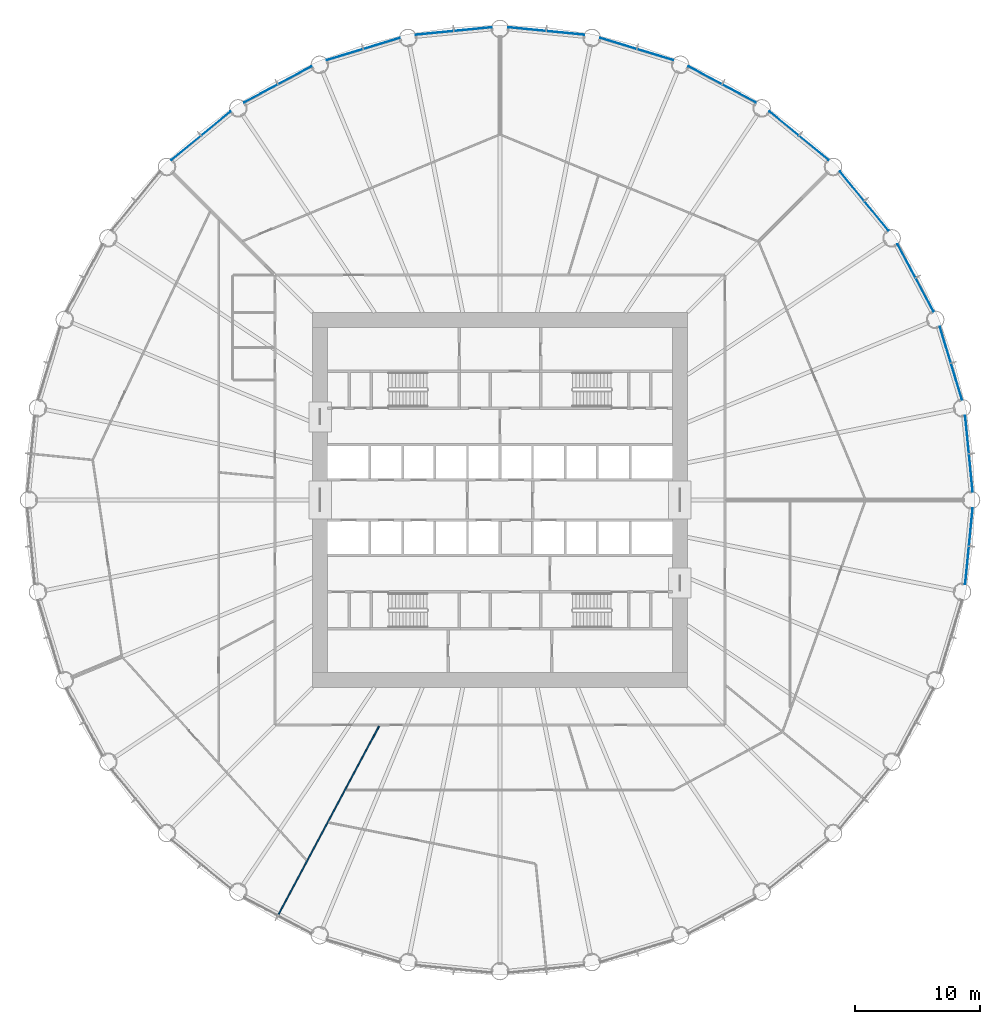
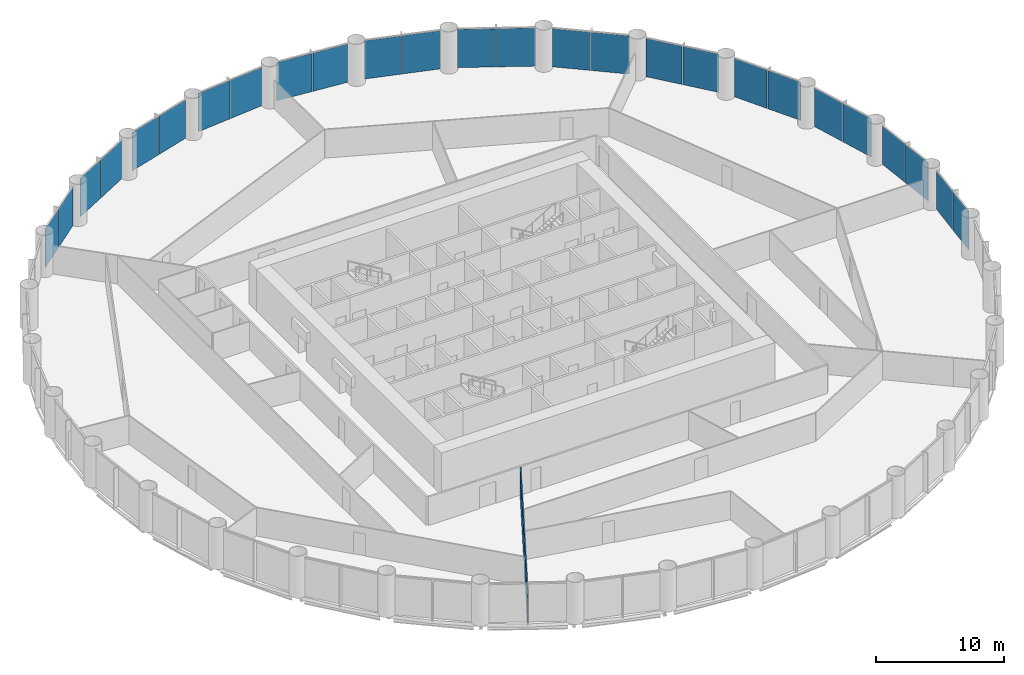
# One storey, part 9 of 15: 26 plates, 1 wall, 13 elements without a shape of their own.
"""IFC4 building model written with IfcOpenShell, lengths in metres."""

from ifc_helpers import new_model, si_unit, direction, frame, frame_2d, origin, origin_2d, place, context, subcontext, project, spatial, rectangle, extrude, material, layer, layer_set, type_object, element, aggregate, save


model = new_model("IFC4")

# Units and contexts
model_context = context("Model", 3, precision=1e-05, world=origin(), true_north=direction((0.0, 1.0)))
body_context = subcontext(model_context, "Body", "Model", "MODEL_VIEW")
ifc_project = project(units=[si_unit("LENGTHUNIT", "METRE"), si_unit("AREAUNIT", "SQUARE_METRE"), si_unit("VOLUMEUNIT", "CUBIC_METRE"), si_unit("PLANEANGLEUNIT", "RADIAN"), si_unit("MASSUNIT", "GRAM", prefix="KILO")], contexts=[model_context])

# Site, building, storey
site_placement = place(None, origin())
site = spatial("IfcSite", under=ifc_project, at=site_placement, CompositionType="ELEMENT")
building_placement = place(site_placement, origin())
building = spatial("IfcBuilding", under=site, at=building_placement, Name="Corvane Civic Tower", CompositionType="ELEMENT")
storey_placement = place(building_placement, frame((0.0, 0.0, 57.0)))
storey = spatial("IfcBuildingStorey", under=building, at=storey_placement, Name="L12", CompositionType="ELEMENT", Elevation=57.0)

# Curtain wall, plates
ifc_material_1 = material(Name="Anodised aluminium bronze", Category="aluminium")
curtain_wall_type = type_object("IfcCurtainWallType", Name="TOWER CW-T1 STICK CURTAIN WALL", PredefinedType="NOTDEFINED", material=ifc_material_1)
curtain_wall_1_placement = place(storey_placement, origin())
curtain_wall_1 = element("IfcCurtainWall", 1, at=curtain_wall_1_placement, inside=storey, type_object=curtain_wall_type, Name="Curtain wall CW-T1 L12 bay 01", PredefinedType="NOTDEFINED")
ifc_material_2 = material(Name="Tinted glass", Category="glass")
ifc_layer_1 = layer(ifc_material_2, 0.035888671875)
ifc_layer_set_1 = layer_set([ifc_layer_1], Name="Tinted glass")
plate_type = type_object("IfcPlateType", Name="TOWER CW-T1 PANEL IGU36", PredefinedType="CURTAIN_PANEL", material=ifc_layer_set_1)
plate_1_placement = place(storey_placement, frame((2.158203125, 37.667236328125, 0.0), z_axis=(0.0, 0.0, 1.0), x_axis=(0.995185800248, -0.098006239521, 0.0)))
plate_1 = element("IfcPlate", 2, at=plate_1_placement, type_object=plate_type, Name="Glass panel CW-T1 L12 01.1", PredefinedType="CURTAIN_PANEL", context=body_context, shape_type="SweptSolid", body=[
    extrude(rectangle(XDim=3.008544921875, YDim=0.035888671875, at=origin_2d()), origin(), (0.0, 0.0, 1.0), 3.6298828125),
])
plate_2_placement = place(storey_placement, frame((5.23193359375, 37.36474609375, 0.0), z_axis=(0.0, 0.0, 1.0), x_axis=(0.995185800248, -0.098006239521, 0.0)))
plate_2 = element("IfcPlate", 3, at=plate_2_placement, type_object=plate_type, Name="Glass panel CW-T1 L12 01.2", PredefinedType="CURTAIN_PANEL", context=body_context, shape_type="SweptSolid", body=[
    extrude(rectangle(XDim=3.008544921875, YDim=0.035888671875, at=origin_2d()), origin(), (0.0, 0.0, 1.0), 3.6298828125),
])
aggregate(curtain_wall_1, [plate_1, plate_2])

curtain_wall_2_placement = place(storey_placement, origin())
curtain_wall_2 = element("IfcCurtainWall", 4, at=curtain_wall_2_placement, inside=storey, type_object=curtain_wall_type, Name="Curtain wall CW-T1 L12 bay 02", PredefinedType="NOTDEFINED")
plate_3_placement = place(storey_placement, frame((9.46533203125, 36.522705078125, 0.0), z_axis=(0.0, 0.0, 1.0), x_axis=(0.956942240606, -0.290278397654, 0.0)))
plate_3 = element("IfcPlate", 5, at=plate_3_placement, type_object=plate_type, Name="Glass panel CW-T1 L12 02.1", PredefinedType="CURTAIN_PANEL", context=body_context, shape_type="SweptSolid", body=[
    extrude(rectangle(XDim=3.008544921875, YDim=0.035888671875, at=origin_2d()), origin(), (0.0, 0.0, 1.0), 3.6298828125),
])
plate_4_placement = place(storey_placement, frame((12.4208984375, 35.6259765625, 0.0), z_axis=(0.0, 0.0, 1.0), x_axis=(0.956942240606, -0.290278397654, 0.0)))
plate_4 = element("IfcPlate", 6, at=plate_4_placement, type_object=plate_type, Name="Glass panel CW-T1 L12 02.2", PredefinedType="CURTAIN_PANEL", context=body_context, shape_type="SweptSolid", body=[
    extrude(rectangle(XDim=3.008544921875, YDim=0.035888671875, at=origin_2d()), origin(), (0.0, 0.0, 1.0), 3.6298828125),
])
aggregate(curtain_wall_2, [plate_3, plate_4])

curtain_wall_3_placement = place(storey_placement, origin())
curtain_wall_3 = element("IfcCurtainWall", 7, at=curtain_wall_3_placement, inside=storey, type_object=curtain_wall_type, Name="Curtain wall CW-T1 L12 bay 03", PredefinedType="NOTDEFINED")
plate_5_placement = place(storey_placement, frame((16.40869140625, 33.974365234375, 0.0), z_axis=(0.0, 0.0, 1.0), x_axis=(0.881917528864, -0.471403725359, 0.0)))
plate_5 = element("IfcPlate", 8, at=plate_5_placement, type_object=plate_type, Name="Glass panel CW-T1 L12 03.1", PredefinedType="CURTAIN_PANEL", context=body_context, shape_type="SweptSolid", body=[
    extrude(rectangle(XDim=3.008544921875, YDim=0.035888671875, at=origin_2d()), origin(), (0.0, 0.0, 1.0), 3.6298828125),
])
plate_6_placement = place(storey_placement, frame((19.132568359375, 32.518310546875, 0.0), z_axis=(0.0, 0.0, 1.0), x_axis=(0.881917528864, -0.471403725359, 0.0)))
plate_6 = element("IfcPlate", 9, at=plate_6_placement, type_object=plate_type, Name="Glass panel CW-T1 L12 03.2", PredefinedType="CURTAIN_PANEL", context=body_context, shape_type="SweptSolid", body=[
    extrude(rectangle(XDim=3.008544921875, YDim=0.035888671875, at=origin_2d()), origin(), (0.0, 0.0, 1.0), 3.6298828125),
])
aggregate(curtain_wall_3, [plate_5, plate_6])

curtain_wall_4_placement = place(storey_placement, origin())
curtain_wall_4 = element("IfcCurtainWall", 10, at=curtain_wall_4_placement, inside=storey, type_object=curtain_wall_type, Name="Curtain wall CW-T1 L12 bay 04", PredefinedType="NOTDEFINED")
plate_7_placement = place(storey_placement, frame((22.721435546875, 30.120361328125, 0.0), z_axis=(0.0, 0.0, 1.0), x_axis=(0.773007224463, -0.634397218569, 0.0)))
plate_7 = element("IfcPlate", 11, at=plate_7_placement, type_object=plate_type, Name="Glass panel CW-T1 L12 04.1", PredefinedType="CURTAIN_PANEL", context=body_context, shape_type="SweptSolid", body=[
    extrude(rectangle(XDim=3.008544921875, YDim=0.035888671875, at=origin_2d()), origin(), (0.0, 0.0, 1.0), 3.6298828125),
])
plate_8_placement = place(storey_placement, frame((25.10888671875, 28.160888671875, 0.0), z_axis=(0.0, 0.0, 1.0), x_axis=(0.773007224463, -0.634397218569, 0.0)))
plate_8 = element("IfcPlate", 12, at=plate_8_placement, type_object=plate_type, Name="Glass panel CW-T1 L12 04.2", PredefinedType="CURTAIN_PANEL", context=body_context, shape_type="SweptSolid", body=[
    extrude(rectangle(XDim=3.008544921875, YDim=0.035888671875, at=origin_2d()), origin(), (0.0, 0.0, 1.0), 3.6298828125),
])
aggregate(curtain_wall_4, [plate_7, plate_8])

curtain_wall_5_placement = place(storey_placement, origin())
curtain_wall_5 = element("IfcCurtainWall", 13, at=curtain_wall_5_placement, inside=storey, type_object=curtain_wall_type, Name="Curtain wall CW-T1 L12 bay 05", PredefinedType="NOTDEFINED")
plate_9_placement = place(storey_placement, frame((28.160888671875, 25.10888671875, 0.0), z_axis=(0.0, 0.0, 1.0), x_axis=(0.634397218569, -0.773007224463, 0.0)))
plate_9 = element("IfcPlate", 14, at=plate_9_placement, type_object=plate_type, Name="Glass panel CW-T1 L12 05.1", PredefinedType="CURTAIN_PANEL", context=body_context, shape_type="SweptSolid", body=[
    extrude(rectangle(XDim=3.008544921875, YDim=0.035888671875, at=origin_2d()), origin(), (0.0, 0.0, 1.0), 3.6298828125),
])
plate_10_placement = place(storey_placement, frame((30.120361328125, 22.721435546875, 0.0), z_axis=(0.0, 0.0, 1.0), x_axis=(0.634397218569, -0.773007224463, 0.0)))
plate_10 = element("IfcPlate", 15, at=plate_10_placement, type_object=plate_type, Name="Glass panel CW-T1 L12 05.2", PredefinedType="CURTAIN_PANEL", context=body_context, shape_type="SweptSolid", body=[
    extrude(rectangle(XDim=3.008544921875, YDim=0.035888671875, at=origin_2d()), origin(), (0.0, 0.0, 1.0), 3.6298828125),
])
aggregate(curtain_wall_5, [plate_9, plate_10])

curtain_wall_6_placement = place(storey_placement, origin())
curtain_wall_6 = element("IfcCurtainWall", 16, at=curtain_wall_6_placement, inside=storey, type_object=curtain_wall_type, Name="Curtain wall CW-T1 L12 bay 06", PredefinedType="NOTDEFINED")
plate_11_placement = place(storey_placement, frame((32.518310546875, 19.132568359375, 0.0), z_axis=(0.0, 0.0, 1.0), x_axis=(0.471403725359, -0.881917528864, 0.0)))
plate_11 = element("IfcPlate", 17, at=plate_11_placement, type_object=plate_type, Name="Glass panel CW-T1 L12 06.1", PredefinedType="CURTAIN_PANEL", context=body_context, shape_type="SweptSolid", body=[
    extrude(rectangle(XDim=3.008544921875, YDim=0.035888671875, at=origin_2d()), origin(), (0.0, 0.0, 1.0), 3.6298828125),
])
plate_12_placement = place(storey_placement, frame((33.974365234375, 16.40869140625, 0.0), z_axis=(0.0, 0.0, 1.0), x_axis=(0.471403725359, -0.881917528864, 0.0)))
plate_12 = element("IfcPlate", 18, at=plate_12_placement, type_object=plate_type, Name="Glass panel CW-T1 L12 06.2", PredefinedType="CURTAIN_PANEL", context=body_context, shape_type="SweptSolid", body=[
    extrude(rectangle(XDim=3.008544921875, YDim=0.035888671875, at=origin_2d()), origin(), (0.0, 0.0, 1.0), 3.6298828125),
])
aggregate(curtain_wall_6, [plate_11, plate_12])

curtain_wall_7_placement = place(storey_placement, origin())
curtain_wall_7 = element("IfcCurtainWall", 19, at=curtain_wall_7_placement, inside=storey, type_object=curtain_wall_type, Name="Curtain wall CW-T1 L12 bay 07", PredefinedType="NOTDEFINED")
plate_13_placement = place(storey_placement, frame((35.6259765625, 12.4208984375, 0.0), z_axis=(0.0, 0.0, 1.0), x_axis=(0.290278397654, -0.956942240606, 0.0)))
plate_13 = element("IfcPlate", 20, at=plate_13_placement, type_object=plate_type, Name="Glass panel CW-T1 L12 07.1", PredefinedType="CURTAIN_PANEL", context=body_context, shape_type="SweptSolid", body=[
    extrude(rectangle(XDim=3.008544921875, YDim=0.035888671875, at=origin_2d()), origin(), (0.0, 0.0, 1.0), 3.6298828125),
])
plate_14_placement = place(storey_placement, frame((36.522705078125, 9.46533203125, 0.0), z_axis=(0.0, 0.0, 1.0), x_axis=(0.290278397654, -0.956942240606, 0.0)))
plate_14 = element("IfcPlate", 21, at=plate_14_placement, type_object=plate_type, Name="Glass panel CW-T1 L12 07.2", PredefinedType="CURTAIN_PANEL", context=body_context, shape_type="SweptSolid", body=[
    extrude(rectangle(XDim=3.008544921875, YDim=0.035888671875, at=origin_2d()), origin(), (0.0, 0.0, 1.0), 3.6298828125),
])
aggregate(curtain_wall_7, [plate_13, plate_14])

curtain_wall_8_placement = place(storey_placement, origin())
curtain_wall_8 = element("IfcCurtainWall", 22, at=curtain_wall_8_placement, inside=storey, type_object=curtain_wall_type, Name="Curtain wall CW-T1 L12 bay 08", PredefinedType="NOTDEFINED")
plate_15_placement = place(storey_placement, frame((37.36474609375, 5.23193359375, 0.0), z_axis=(0.0, 0.0, 1.0), x_axis=(0.098006239521, -0.995185800248, 0.0)))
plate_15 = element("IfcPlate", 23, at=plate_15_placement, type_object=plate_type, Name="Glass panel CW-T1 L12 08.1", PredefinedType="CURTAIN_PANEL", context=body_context, shape_type="SweptSolid", body=[
    extrude(rectangle(XDim=3.008544921875, YDim=0.035888671875, at=origin_2d()), origin(), (0.0, 0.0, 1.0), 3.6298828125),
])
plate_16_placement = place(storey_placement, frame((37.667236328125, 2.158203125, 0.0), z_axis=(0.0, 0.0, 1.0), x_axis=(0.098006239521, -0.995185800248, 0.0)))
plate_16 = element("IfcPlate", 24, at=plate_16_placement, type_object=plate_type, Name="Glass panel CW-T1 L12 08.2", PredefinedType="CURTAIN_PANEL", context=body_context, shape_type="SweptSolid", body=[
    extrude(rectangle(XDim=3.008544921875, YDim=0.035888671875, at=origin_2d()), origin(), (0.0, 0.0, 1.0), 3.6298828125),
])
aggregate(curtain_wall_8, [plate_15, plate_16])

curtain_wall_9_placement = place(storey_placement, origin())
curtain_wall_9 = element("IfcCurtainWall", 25, at=curtain_wall_9_placement, inside=storey, type_object=curtain_wall_type, Name="Curtain wall CW-T1 L12 bay 09", PredefinedType="NOTDEFINED")
plate_17_placement = place(storey_placement, frame((37.667236328125, -2.158203125, 0.0), z_axis=(0.0, 0.0, 1.0), x_axis=(-0.098006239521, -0.995185800248, 0.0)))
plate_17 = element("IfcPlate", 26, at=plate_17_placement, type_object=plate_type, Name="Glass panel CW-T1 L12 09.1", PredefinedType="CURTAIN_PANEL", context=body_context, shape_type="SweptSolid", body=[
    extrude(rectangle(XDim=3.008544921875, YDim=0.035888671875, at=origin_2d()), origin(), (0.0, 0.0, 1.0), 3.6298828125),
])
plate_18_placement = place(storey_placement, frame((37.36474609375, -5.23193359375, 0.0), z_axis=(0.0, 0.0, 1.0), x_axis=(-0.098006239521, -0.995185800248, 0.0)))
plate_18 = element("IfcPlate", 27, at=plate_18_placement, type_object=plate_type, Name="Glass panel CW-T1 L12 09.2", PredefinedType="CURTAIN_PANEL", context=body_context, shape_type="SweptSolid", body=[
    extrude(rectangle(XDim=3.008544921875, YDim=0.035888671875, at=origin_2d()), origin(), (0.0, 0.0, 1.0), 3.6298828125),
])
aggregate(curtain_wall_9, [plate_17, plate_18])

curtain_wall_10_placement = place(storey_placement, origin())
curtain_wall_10 = element("IfcCurtainWall", 28, at=curtain_wall_10_placement, inside=storey, type_object=curtain_wall_type, Name="Curtain wall CW-T1 L12 bay 29", PredefinedType="NOTDEFINED")
plate_19_placement = place(storey_placement, frame((-25.10888671875, 28.160888671875, 0.0), z_axis=(0.0, 0.0, 1.0), x_axis=(0.773007224463, 0.634397218569, 0.0)))
plate_19 = element("IfcPlate", 29, at=plate_19_placement, type_object=plate_type, Name="Glass panel CW-T1 L12 29.1", PredefinedType="CURTAIN_PANEL", context=body_context, shape_type="SweptSolid", body=[
    extrude(rectangle(XDim=3.008544921875, YDim=0.035888671875, at=origin_2d()), origin(), (0.0, 0.0, 1.0), 3.6298828125),
])
plate_20_placement = place(storey_placement, frame((-22.721435546875, 30.120361328125, 0.0), z_axis=(0.0, 0.0, 1.0), x_axis=(0.773007224463, 0.634397218569, 0.0)))
plate_20 = element("IfcPlate", 30, at=plate_20_placement, type_object=plate_type, Name="Glass panel CW-T1 L12 29.2", PredefinedType="CURTAIN_PANEL", context=body_context, shape_type="SweptSolid", body=[
    extrude(rectangle(XDim=3.008544921875, YDim=0.035888671875, at=origin_2d()), origin(), (0.0, 0.0, 1.0), 3.6298828125),
])
aggregate(curtain_wall_10, [plate_19, plate_20])

curtain_wall_11_placement = place(storey_placement, origin())
curtain_wall_11 = element("IfcCurtainWall", 31, at=curtain_wall_11_placement, inside=storey, type_object=curtain_wall_type, Name="Curtain wall CW-T1 L12 bay 30", PredefinedType="NOTDEFINED")
plate_21_placement = place(storey_placement, frame((-19.132568359375, 32.518310546875, 0.0), z_axis=(0.0, 0.0, 1.0), x_axis=(0.881917528864, 0.471403725359, 0.0)))
plate_21 = element("IfcPlate", 32, at=plate_21_placement, type_object=plate_type, Name="Glass panel CW-T1 L12 30.1", PredefinedType="CURTAIN_PANEL", context=body_context, shape_type="SweptSolid", body=[
    extrude(rectangle(XDim=3.008544921875, YDim=0.035888671875, at=origin_2d()), origin(), (0.0, 0.0, 1.0), 3.6298828125),
])
plate_22_placement = place(storey_placement, frame((-16.40869140625, 33.974365234375, 0.0), z_axis=(0.0, 0.0, 1.0), x_axis=(0.881917528864, 0.471403725359, 0.0)))
plate_22 = element("IfcPlate", 33, at=plate_22_placement, type_object=plate_type, Name="Glass panel CW-T1 L12 30.2", PredefinedType="CURTAIN_PANEL", context=body_context, shape_type="SweptSolid", body=[
    extrude(rectangle(XDim=3.008544921875, YDim=0.035888671875, at=origin_2d()), origin(), (0.0, 0.0, 1.0), 3.6298828125),
])
aggregate(curtain_wall_11, [plate_21, plate_22])

curtain_wall_12_placement = place(storey_placement, origin())
curtain_wall_12 = element("IfcCurtainWall", 34, at=curtain_wall_12_placement, inside=storey, type_object=curtain_wall_type, Name="Curtain wall CW-T1 L12 bay 31", PredefinedType="NOTDEFINED")
plate_23_placement = place(storey_placement, frame((-12.4208984375, 35.6259765625, 0.0), z_axis=(0.0, 0.0, 1.0), x_axis=(0.956942240606, 0.290278397654, 0.0)))
plate_23 = element("IfcPlate", 35, at=plate_23_placement, type_object=plate_type, Name="Glass panel CW-T1 L12 31.1", PredefinedType="CURTAIN_PANEL", context=body_context, shape_type="SweptSolid", body=[
    extrude(rectangle(XDim=3.008544921875, YDim=0.035888671875, at=origin_2d()), origin(), (0.0, 0.0, 1.0), 3.6298828125),
])
plate_24_placement = place(storey_placement, frame((-9.46533203125, 36.522705078125, 0.0), z_axis=(0.0, 0.0, 1.0), x_axis=(0.956942240606, 0.290278397654, 0.0)))
plate_24 = element("IfcPlate", 36, at=plate_24_placement, type_object=plate_type, Name="Glass panel CW-T1 L12 31.2", PredefinedType="CURTAIN_PANEL", context=body_context, shape_type="SweptSolid", body=[
    extrude(rectangle(XDim=3.008544921875, YDim=0.035888671875, at=origin_2d()), origin(), (0.0, 0.0, 1.0), 3.6298828125),
])
aggregate(curtain_wall_12, [plate_23, plate_24])

curtain_wall_13_placement = place(storey_placement, origin())
curtain_wall_13 = element("IfcCurtainWall", 37, at=curtain_wall_13_placement, inside=storey, type_object=curtain_wall_type, Name="Curtain wall CW-T1 L12 bay 32", PredefinedType="NOTDEFINED")
plate_25_placement = place(storey_placement, frame((-5.23193359375, 37.36474609375, 0.0), z_axis=(0.0, 0.0, 1.0), x_axis=(0.995185800248, 0.098006239521, 0.0)))
plate_25 = element("IfcPlate", 38, at=plate_25_placement, type_object=plate_type, Name="Glass panel CW-T1 L12 32.1", PredefinedType="CURTAIN_PANEL", context=body_context, shape_type="SweptSolid", body=[
    extrude(rectangle(XDim=3.008544921875, YDim=0.035888671875, at=origin_2d()), origin(), (0.0, 0.0, 1.0), 3.6298828125),
])
plate_26_placement = place(storey_placement, frame((-2.158203125, 37.667236328125, 0.0), z_axis=(0.0, 0.0, 1.0), x_axis=(0.995185800248, 0.098006239521, 0.0)))
plate_26 = element("IfcPlate", 39, at=plate_26_placement, type_object=plate_type, Name="Glass panel CW-T1 L12 32.2", PredefinedType="CURTAIN_PANEL", context=body_context, shape_type="SweptSolid", body=[
    extrude(rectangle(XDim=3.008544921875, YDim=0.035888671875, at=origin_2d()), origin(), (0.0, 0.0, 1.0), 3.6298828125),
])
aggregate(curtain_wall_13, [plate_25, plate_26])

# Wall
ifc_material_3 = material(Name="Plasterboard")
ifc_layer_2 = layer(ifc_material_3, 0.10009765625)
ifc_layer_set_2 = layer_set([ifc_layer_2], Name="Plasterboard")
wall_type = type_object("IfcWallType", Name="Partition 100 plasterboard on studs", PredefinedType="PARTITIONING", material=ifc_layer_set_2)
wall_placement = place(storey_placement, frame((-17.8896484375, -33.468994140625, 0.0), z_axis=(0.0, 0.0, 1.0), x_axis=(0.471405261517, 0.881916707753, 0.0)))
element("IfcWall", 40, at=wall_placement, inside=storey, type_object=wall_type, Name="Partition L12.002", PredefinedType="PARTITIONING", context=body_context, shape_type="SweptSolid", body=[
    extrude(rectangle(XDim=17.428466796875, YDim=0.10009765625, at=frame_2d((8.71435546875, 0.0))), origin(), (0.0, 0.0, 1.0), 2.699951171875),
])

save(model, "model.ifc")
